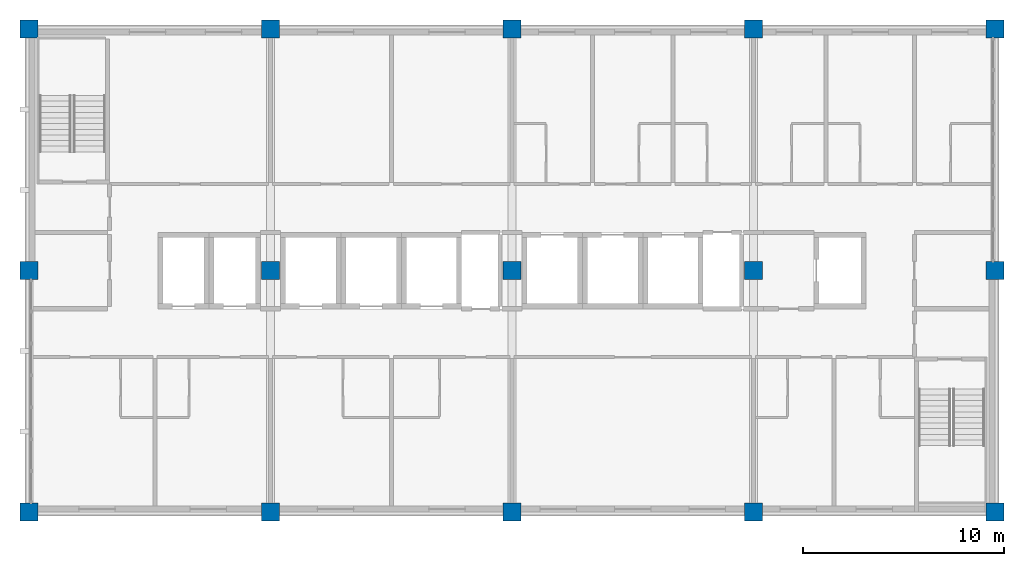
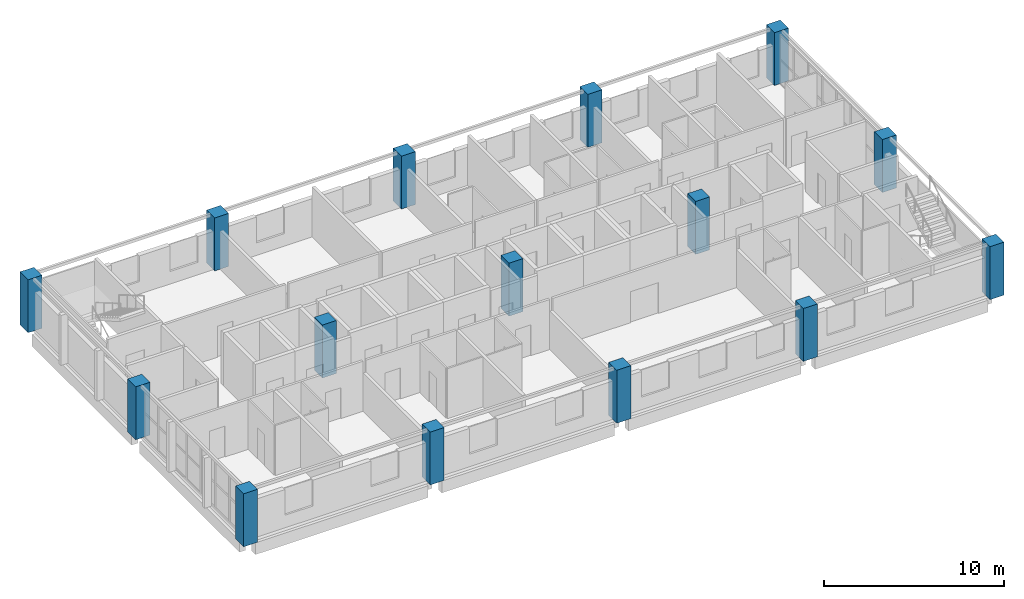
# One storey, part 1 of 11: 15 columns.
"""IFC4 building model written with IfcOpenShell, lengths in metres."""

from ifc_helpers import new_model, si_unit, direction, frame, origin, origin_2d, place, context, subcontext, project, spatial, rectangle, extrude, material, material_profile, profile_set, type_object, element, save


model = new_model("IFC4")

# Units and contexts
model_context = context("Model", 3, precision=1e-05, world=origin(), true_north=direction((0.0, 1.0)))
body_context = subcontext(model_context, "Body", "Model", "MODEL_VIEW")
ifc_project = project(units=[si_unit("LENGTHUNIT", "METRE"), si_unit("AREAUNIT", "SQUARE_METRE"), si_unit("VOLUMEUNIT", "CUBIC_METRE"), si_unit("PLANEANGLEUNIT", "RADIAN"), si_unit("MASSUNIT", "GRAM", prefix="KILO")], contexts=[model_context])

# Site, building, storey
site_placement = place(None, origin())
site = spatial("IfcSite", under=ifc_project, at=site_placement, CompositionType="ELEMENT")
building_placement = place(site_placement, origin())
building = spatial("IfcBuilding", under=site, at=building_placement, Name="Lilac Gate Convention Centre", CompositionType="ELEMENT")
storey_placement = place(building_placement, frame((0.0, 0.0, 31.800048828125)))
storey = spatial("IfcBuildingStorey", under=building, at=storey_placement, Name="L07", CompositionType="ELEMENT", Elevation=31.800048828125)

# Columns
ifc_material = material(Name="Concrete C50", Category="concrete")
ifc_material_profile = material_profile(ifc_material, rectangle(XDim=0.89990234375, YDim=0.89990234375, at=origin_2d()), Name="RC 900x900")
ifc_profile_set = profile_set([ifc_material_profile], Name="Concrete C50")
column_type = type_object("IfcColumnType", Name="RC tower column 900x900 C50", PredefinedType="COLUMN", material=ifc_profile_set)
for number, where, z_axis, x_axis, name in (
    (1, (42.0, 222.0, 0.0), (0.0, 0.0, 1.0), (1.0, 0.0, 0.0), "C4 L07 at 4/S"),
    (2, (42.0, 234.0, 0.0), (0.0, 0.0, 1.0), (1.0, 0.0, 0.0), "C4 L07 at 4/T"),
    (3, (42.0, 246.0, 0.0), (0.0, 0.0, 1.0), (1.0, 0.0, 0.0), "C4 L07 at 4/U"),
    (4, (54.0, 222.0, 0.0), (0.0, 0.0, 1.0), (1.0, 0.0, 0.0), "C4 L07 at 5/S"),
    (5, (54.0, 234.0, 0.0), (0.0, 0.0, 1.0), (1.0, 0.0, 0.0), "C4 L07 at 5/T"),
    (6, (54.0, 246.0, 0.0), (0.0, 0.0, 1.0), (1.0, 0.0, 0.0), "C4 L07 at 5/U"),
    (7, (66.0, 222.0, 0.0), (0.0, 0.0, 1.0), (1.0, 0.0, 0.0), "C4 L07 at 6/S"),
    (8, (66.0, 234.0, 0.0), (0.0, 0.0, 1.0), (1.0, 0.0, 0.0), "C4 L07 at 6/T"),
    (9, (66.0, 246.0, 0.0), (0.0, 0.0, 1.0), (1.0, 0.0, 0.0), "C4 L07 at 6/U"),
    (10, (78.0, 222.0, 0.0), (0.0, 0.0, 1.0), (1.0, 0.0, 0.0), "C4 L07 at 7/S"),
    (11, (78.0, 234.0, 0.0), (0.0, 0.0, 1.0), (1.0, 0.0, 0.0), "C4 L07 at 7/T"),
    (12, (78.0, 246.0, 0.0), (0.0, 0.0, 1.0), (1.0, 0.0, 0.0), "C4 L07 at 7/U"),
    (13, (90.0, 222.0, 0.0), (0.0, 0.0, 1.0), (1.0, 0.0, 0.0), "C4 L07 at 8/S"),
    (14, (90.0, 234.0, 0.0), (0.0, 0.0, 1.0), (1.0, 0.0, 0.0), "C4 L07 at 8/T"),
    (15, (90.0, 246.0, 0.0), (0.0, 0.0, 1.0), (1.0, 0.0, 0.0), "C4 L07 at 8/U"),
):
    element("IfcColumn", number, at=place(storey_placement, frame(where, z_axis=z_axis, x_axis=x_axis)), inside=storey, type_object=column_type, Name=name, PredefinedType="COLUMN", context=body_context, shape_type="SweptSolid", body=[
        extrude(rectangle(XDim=0.89990234375, YDim=0.89990234375, at=origin_2d()), origin(), (0.0, 0.0, 1.0), 3.599853515625),
    ])

save(model, "model.ifc")
